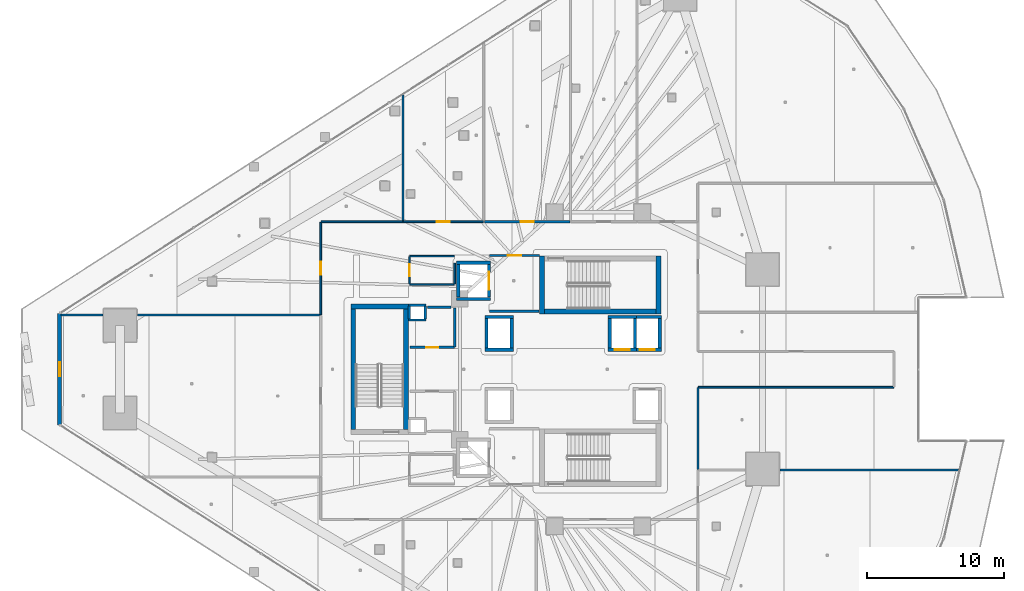
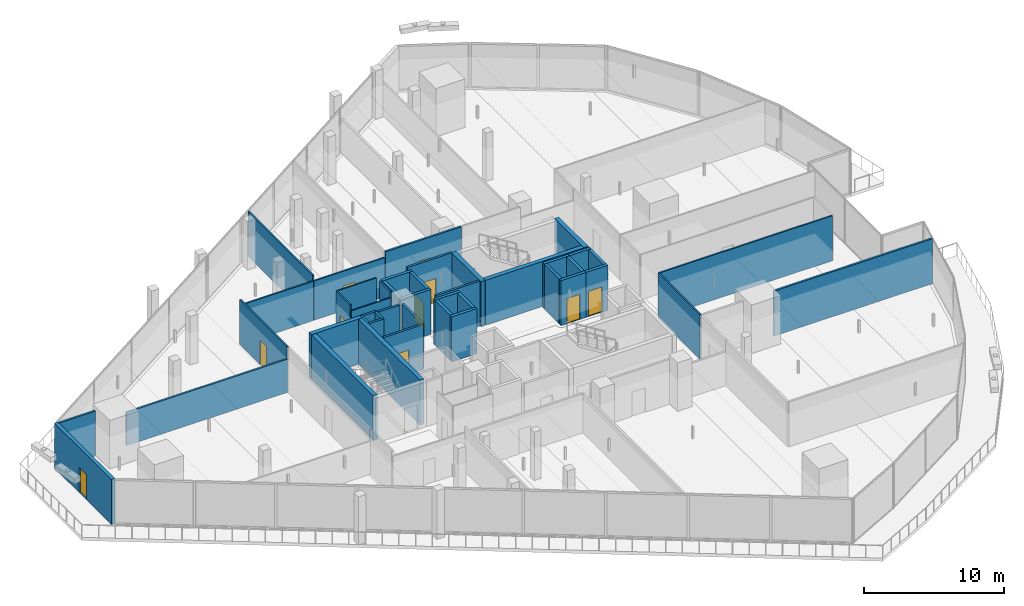
# One storey, part 30 of 45: 45 walls, 10 doors, 10 openings.
"""IFC4 building model written with IfcOpenShell, lengths in metres."""

import ifcopenshell
import ifcopenshell.guid

model = None  # the IFC model being written
_history = None  # IfcOwnerHistory: only IFC2X3 demands one
_inside = {}  # id of a spatial element -> (the spatial element, [elements in it])
_under = {}  # id of a project, library or spatial element -> (it, [spatial elements below it])
_declared = {}  # id of a project -> (the project, [libraries it declares])
_typed = {}  # id of a type object -> (the type object, [elements of that type])
_made_of = {}  # id of a material, layer set ... -> (it, [elements and type objects made of it])


def new_model(schema):
    """Start an empty IFC model of exactly this schema.

    Asked for "IFC4X3", IfcOpenShell would pick the latest addendum, in which some entities
    have other attributes; the version numbers below select the first issue.
    IFC2X3 requires an IfcOwnerHistory on every rooted entity: one is made here for all.
    """
    global model, _history
    if schema == "IFC4X3":
        model = ifcopenshell.file(schema_version=(4, 3, 0, 0))
    else:
        model = ifcopenshell.file(schema=schema)
    _inside.clear()
    _under.clear()
    _declared.clear()
    _typed.clear()
    _made_of.clear()
    _history = None
    if model.schema == "IFC2X3":
        org = make("IfcOrganization", Name="unknown")
        user = make(
            "IfcPersonAndOrganization",
            ThePerson=make("IfcPerson", FamilyName="unknown"),
            TheOrganization=org,
        )
        app = make(
            "IfcApplication",
            ApplicationDeveloper=org,
            Version="unknown",
            ApplicationFullName="unknown",
            ApplicationIdentifier="unknown",
        )
        _history = make(
            "IfcOwnerHistory",
            OwningUser=user,
            OwningApplication=app,
            ChangeAction="ADDED",
            CreationDate=0,
        )
    return model


def make(cls, **values):
    """One entity of the class cls with the attributes given. An attribute that is None is left unset."""
    return model.create_entity(
        cls, **{name: value for name, value in values.items() if value is not None}
    )


def rooted(cls, **values):
    """An entity with a GlobalId (a new one), such as an element, a storey or a relation."""
    return make(cls, GlobalId=ifcopenshell.guid.new(), OwnerHistory=_history, **values)


def si_unit(unit_type, name, prefix=None):
    """IfcSIUnit, for example si_unit("LENGTHUNIT", "METRE", prefix="MILLI")."""
    return make("IfcSIUnit", UnitType=unit_type, Prefix=prefix, Name=name)


def assignment(units):
    """IfcUnitAssignment: the units of a project."""
    return None if units is None else make("IfcUnitAssignment", Units=units)


def point(xyz):
    """IfcCartesianPoint."""
    return None if xyz is None else make("IfcCartesianPoint", Coordinates=xyz)


def direction(xyz):
    """IfcDirection."""
    return None if xyz is None else make("IfcDirection", DirectionRatios=xyz)


def frame(location, z_axis=None, x_axis=None):
    """IfcAxis2Placement3D, a coordinate frame: its origin and axes. An axis left out is left unset."""
    return make(
        "IfcAxis2Placement3D",
        Location=point(location),
        Axis=direction(z_axis),
        RefDirection=direction(x_axis),
    )


def frame_2d(location, x_axis=None):
    """IfcAxis2Placement2D, a coordinate frame in the plane: its origin and x axis."""
    return make(
        "IfcAxis2Placement2D", Location=point(location), RefDirection=direction(x_axis)
    )


def origin():
    """The frame at (0, 0, 0) with its axes left unset."""
    return frame((0.0, 0.0, 0.0))


def place(relative_to, where):
    """IfcLocalPlacement: puts the frame where relative to a parent placement (None: the world)."""
    return make(
        "IfcLocalPlacement", PlacementRelTo=relative_to, RelativePlacement=where
    )


def context(
    kind, dimensions, precision=None, world=None, true_north=None, identifier=None
):
    """IfcGeometricRepresentationContext, for example the 3D "Model" context."""
    return make(
        "IfcGeometricRepresentationContext",
        ContextIdentifier=identifier,
        ContextType=kind,
        CoordinateSpaceDimension=dimensions,
        Precision=precision,
        WorldCoordinateSystem=world,
        TrueNorth=true_north,
    )


def subcontext(parent, identifier, kind, view, scale=None):
    """IfcGeometricRepresentationSubContext, for example "Body" below "Model"."""
    return make(
        "IfcGeometricRepresentationSubContext",
        ContextIdentifier=identifier,
        ContextType=kind,
        ParentContext=parent,
        TargetScale=scale,
        TargetView=view,
    )


def project(units=None, contexts=None):
    """IfcProject with its units and contexts."""
    return rooted(
        "IfcProject",
        Name="project",
        RepresentationContexts=contexts,
        UnitsInContext=assignment(units),
    )


def spatial(cls, under=None, at=None, **own):
    """A site, building, storey or space (cls), placed at a placement, below another one or the project."""
    s = rooted(cls, ObjectPlacement=at, **own)
    if under is not None:
        _under.setdefault(under.id(), (under, []))[1].append(s)
    return s


def profile(cls, at=None, kind="AREA", **sizes):
    """A parametric profile (cls). Its sizes go by their IFC names, for example OverallWidth=200.0."""
    return make(cls, ProfileType=kind, Position=at, **sizes)


def rectangle(**sizes):
    """IfcRectangleProfileDef."""
    return profile("IfcRectangleProfileDef", **sizes)


def extrude(swept, where, along, depth):
    """IfcExtrudedAreaSolid: the profile swept, set in the frame where, extruded along a direction by depth."""
    return make(
        "IfcExtrudedAreaSolid",
        SweptArea=swept,
        Position=where,
        ExtrudedDirection=direction(along),
        Depth=depth,
    )


def shape(context_of_items, identifier, shape_type, items):
    """IfcShapeRepresentation: the items that make up one representation, for example the "Body"."""
    return make(
        "IfcShapeRepresentation",
        ContextOfItems=context_of_items,
        RepresentationIdentifier=identifier,
        RepresentationType=shape_type,
        Items=items,
    )


def material(Name=None, Category=None):
    """IfcMaterial."""
    return make("IfcMaterial", Name=Name, Category=Category)


def layer(
    of_material, thickness, ventilated=None, Name=None, Category=None, Priority=None
):
    """IfcMaterialLayer: one layer of a wall or slab, of a material (None: an air gap)."""
    return make(
        "IfcMaterialLayer",
        Material=of_material,
        LayerThickness=thickness,
        IsVentilated=ventilated,
        Name=Name,
        Category=Category,
        Priority=Priority,
    )


def layer_set(layers, Name=None):
    """IfcMaterialLayerSet."""
    return make("IfcMaterialLayerSet", MaterialLayers=layers, LayerSetName=Name)


def made_of(thing, what):
    """Note that an element or type object is made of a material, layer set ...; save() writes the relation."""
    if what is not None:
        _made_of.setdefault(what.id(), (what, []))[1].append(thing)
    return thing


def type_object(cls, material=None, **own):
    """A type object (cls), such as IfcWallType, which elements share."""
    return made_of(rooted(cls, **own), material)


def element(
    cls,
    number,
    at=None,
    inside=None,
    cuts=None,
    type_object=None,
    material=None,
    context=None,
    identifier="Body",
    shape_type=None,
    held_by="IfcProductDefinitionShape",
    body=None,
    shapes=None,
    **own,
):
    """One element of the class cls, such as IfcWall. Its Tag is "e" and its number.

    at: its placement. inside: the storey or other place that contains it. cuts: it is an
    opening in that element (IfcRelVoidsElement). A single representation is given by context,
    identifier, shape_type and body (its items); several are given by shapes. held_by: the class
    of the entity that holds the representations. save() writes the other relations.
    """
    e = rooted(cls, Tag="e%d" % number, ObjectPlacement=at, **own)
    if body is not None:
        shapes = [shape(context, identifier, shape_type, body)]
    if shapes is not None:
        e.Representation = make(held_by, Representations=shapes)
    if inside is not None:
        _inside.setdefault(inside.id(), (inside, []))[1].append(e)
    if cuts is not None:
        rooted(
            "IfcRelVoidsElement", RelatingBuildingElement=cuts, RelatedOpeningElement=e
        )
    if type_object is not None:
        _typed.setdefault(type_object.id(), (type_object, []))[1].append(e)
    return made_of(e, material)


def fill(opening, filler):
    """IfcRelFillsElement: the door or window that sits in an opening."""
    return rooted(
        "IfcRelFillsElement",
        RelatingOpeningElement=opening,
        RelatedBuildingElement=filler,
    )


def aggregate(whole, parts):
    """IfcRelAggregates: a whole, such as a stair, and the parts it consists of."""
    return rooted("IfcRelAggregates", RelatingObject=whole, RelatedObjects=parts)


def save(model, path):
    """Write the relations noted so far, then the file.

    IfcRelAggregates (storeys below a building ...), IfcRelContainedInSpatialStructure (elements
    in a storey), IfcRelDefinesByType, IfcRelAssociatesMaterial and IfcRelDeclares: one each for
    every whole, place, type object, material and project.
    """
    for whole, parts in _under.values():
        aggregate(whole, parts)
    for where, things in _inside.values():
        rooted(
            "IfcRelContainedInSpatialStructure",
            RelatedElements=things,
            RelatingStructure=where,
        )
    for kind, things in _typed.values():
        rooted("IfcRelDefinesByType", RelatedObjects=things, RelatingType=kind)
    for what, things in _made_of.values():
        rooted("IfcRelAssociatesMaterial", RelatedObjects=things, RelatingMaterial=what)
    for by, libraries in _declared.values():
        rooted("IfcRelDeclares", RelatingContext=by, RelatedDefinitions=libraries)
    model.write(path)


model = new_model("IFC4")

# Units and contexts
model_context = context("Model", 3, precision=1e-05, world=origin(), true_north=direction((0.0, 1.0)))
body_context = subcontext(model_context, "Body", "Model", "MODEL_VIEW")
ifc_project = project(units=[si_unit("LENGTHUNIT", "METRE"), si_unit("AREAUNIT", "SQUARE_METRE"), si_unit("VOLUMEUNIT", "CUBIC_METRE"), si_unit("PLANEANGLEUNIT", "RADIAN"), si_unit("MASSUNIT", "GRAM", prefix="KILO")], contexts=[model_context])

# Site, building, storey
site_placement = place(None, origin())
site = spatial("IfcSite", under=ifc_project, at=site_placement, CompositionType="ELEMENT")
building_placement = place(site_placement, origin())
building = spatial("IfcBuilding", under=site, at=building_placement, Name="Qorvath Tower", CompositionType="ELEMENT")
storey_placement = place(building_placement, frame((0.0, 0.0, 66.0)))
storey = spatial("IfcBuildingStorey", under=building, at=storey_placement, Name="L14", CompositionType="ELEMENT", Elevation=66.0)

# Walls
ifc_material_1 = material(Name="Gypsum shaftliner on steel studs", Category="steel")
ifc_layer_1 = layer(ifc_material_1, 0.179931640625)
ifc_layer_set_1 = layer_set([ifc_layer_1], Name="FW-LOBBY")
wall_type_1 = type_object("IfcWallType", Name="FW-LOBBY", PredefinedType="PARTITIONING", material=ifc_layer_set_1)
for number, where, z_axis, x_axis, name in (
    (1, (-32.989990234375, 3.594970703125, 0.0), (0.0, 0.0, 1.0), (-1.0, 0.0, 0.0), "MEP Riser Shaft Enclosure Wall N-L14-S"),
    (2, (-34.260009765625, 4.675048828125, 0.0), (0.0, 0.0, 1.0), (1.0, 0.0, 0.0), "MEP Riser Shaft Enclosure Wall N-L14-N"),
):
    element("IfcWall", number, at=place(storey_placement, frame(where, z_axis=z_axis, x_axis=x_axis)), inside=storey, type_object=wall_type_1, Name=name, PredefinedType="PARTITIONING", context=body_context, shape_type="SweptSolid", body=[
        extrude(rectangle(XDim=1.27001953125, YDim=0.179931640625, at=frame_2d((0.635009765625, 0.0))), origin(), (0.0, 0.0, 1.0), 3.919921875),
    ])
for number, where, z_axis, x_axis, name in (
    (3, (-34.205078125, 3.659912109375, 0.0), (0.0, 0.0, 1.0), (0.0, 1.0, 0.0), "MEP Riser Shaft Enclosure Wall N-L14-W"),
    (4, (-33.044921875, 4.610107421875, 0.0), (0.0, 0.0, 1.0), (0.0, -1.0, 0.0), "MEP Riser Shaft Enclosure Wall N-L14-E"),
):
    element("IfcWall", number, at=place(storey_placement, frame(where, z_axis=z_axis, x_axis=x_axis)), inside=storey, type_object=wall_type_1, Name=name, PredefinedType="PARTITIONING", context=body_context, shape_type="SweptSolid", body=[
        extrude(rectangle(XDim=0.9501953125, YDim=0.179931640625, at=frame_2d((0.47509765625, 0.0))), origin(), (0.0, 0.0, 1.0), 3.919921875),
    ])
wall_1_placement = place(storey_placement, frame((-28.35498046875, 4.25, 0.0), z_axis=(0.0, 0.0, 1.0), x_axis=(1.0, 0.0, 0.0)))
element("IfcWall", 5, at=wall_1_placement, inside=storey, type_object=wall_type_1, Name="Interior Partition IW-T1-L14-001", PredefinedType="PARTITIONING", context=body_context, shape_type="SweptSolid", body=[
    extrude(rectangle(XDim=3.6220703125, YDim=0.179931640625, at=frame_2d((1.81103515625, 0.0))), origin(), (0.0, 0.0, 1.0), 3.919921875),
])

# Wall, opening, door
wall_2_placement = place(storey_placement, frame((-24.68408203125, 8.300048828125, 0.0), z_axis=(0.0, 0.0, 1.0), x_axis=(-1.0, 0.0, 0.0)))
wall_2 = element("IfcWall", 6, at=wall_2_placement, inside=storey, type_object=wall_type_1, Name="Interior Partition IW-T1-L14-002", PredefinedType="PARTITIONING", context=body_context, shape_type="SweptSolid", body=[
    extrude(rectangle(XDim=3.6708984375, YDim=0.179931640625, at=frame_2d((1.83544921875, 0.0))), origin(), (0.0, 0.0, 1.0), 3.919921875),
])
opening_1_placement = place(wall_2_placement, frame((1.33544921875, 0.0, 0.0)))
opening_1 = element("IfcOpeningElement", 7, at=opening_1_placement, cuts=wall_2, Name="Opening D-T1-L14-17", PredefinedType="OPENING", context=body_context, shape_type="SweptSolid", body=[
    extrude(rectangle(XDim=1.0, YDim=2.14990234375, at=frame_2d((0.5, 1.074951171875))), frame((0.0, 0.10009765625, 0.0), z_axis=(0.0, -1.0, 0.0), x_axis=(1.0, 0.0, 0.0)), (0.0, 0.0, 1.0), 0.199951171875),
])
ifc_material_2 = material(Name="Painted galvanised hollow metal", Category="steel")
door_type_1 = type_object("IfcDoorType", Name="FD-60", OperationType="NOTDEFINED", PredefinedType="DOOR", material=ifc_material_2)
door_1_placement = place(opening_1_placement, origin())
door_1 = element("IfcDoor", 8, at=door_1_placement, inside=storey, type_object=door_type_1, Name="Lobby Fire Service Elevator North Door D-T1-L14-17", OperationType="SINGLE_SWING_RIGHT", OverallHeight=2.14990234375, OverallWidth=1.0, PredefinedType="DOOR", context=body_context, shape_type="SweptSolid", body=[
    extrude(rectangle(XDim=1.0, YDim=2.14990234375, at=frame_2d((0.5, 1.074951171875))), frame((0.0, 0.02490234375, 0.0), z_axis=(0.0, -1.0, 0.0), x_axis=(1.0, 0.0, 0.0)), (0.0, 0.0, 1.0), 0.050048828125),
])
fill(opening_1, door_1)

wall_3_placement = place(storey_placement, frame((-34.15478515625, 1.60009765625, 0.0), z_axis=(0.0, 0.0, 1.0), x_axis=(1.0, 0.0, 0.0)))
wall_3 = element("IfcWall", 9, at=wall_3_placement, inside=storey, type_object=wall_type_1, Name="Interior Partition IW-T1-L14-013", PredefinedType="PARTITIONING", context=body_context, shape_type="SweptSolid", body=[
    extrude(rectangle(XDim=3.25, YDim=0.179931640625, at=frame_2d((1.625, 0.0))), origin(), (0.0, 0.0, 1.0), 3.919921875),
])
opening_2_placement = place(wall_3_placement, frame((1.18505859375, 0.0, 0.0)))
opening_2 = element("IfcOpeningElement", 10, at=opening_2_placement, cuts=wall_3, Name="Opening D-T1-L14-03", PredefinedType="OPENING", context=body_context, shape_type="SweptSolid", body=[
    extrude(rectangle(XDim=0.8798828125, YDim=2.10009765625, at=frame_2d((0.43994140625, 1.050048828125))), frame((0.0, 0.10009765625, 0.0), z_axis=(0.0, -1.0, 0.0), x_axis=(1.0, 0.0, 0.0)), (0.0, 0.0, 1.0), 0.199951171875),
])
ifc_material_3 = material(Name="Painted galvanised hollow metal", Category="steel")
door_type_2 = type_object("IfcDoorType", Name="FD-60N", OperationType="NOTDEFINED", PredefinedType="DOOR", material=ifc_material_3)
door_2_placement = place(opening_2_placement, origin())
door_2 = element("IfcDoor", 11, at=door_2_placement, inside=storey, type_object=door_type_2, Name="Core telecom and comms room L14 Door D-T1-L14-03", OperationType="SINGLE_SWING_RIGHT", OverallHeight=2.10009765625, OverallWidth=0.8798828125, PredefinedType="DOOR", context=body_context, shape_type="SweptSolid", body=[
    extrude(rectangle(XDim=0.8798828125, YDim=2.10009765625, at=frame_2d((0.43994140625, 1.050048828125))), frame((0.0, 0.02490234375, 0.0), z_axis=(0.0, -1.0, 0.0), x_axis=(1.0, 0.0, 0.0)), (0.0, 0.0, 1.0), 0.050048828125),
])
fill(opening_2, door_2)

# Walls
wall_4_placement = place(storey_placement, frame((-30.8798828125, 1.625, 0.0), z_axis=(0.0, 0.0, 1.0), x_axis=(0.0, 1.0, 0.0)))
element("IfcWall", 12, at=wall_4_placement, inside=storey, type_object=wall_type_1, Name="Interior Partition IW-T1-L14-014", PredefinedType="PARTITIONING", context=body_context, shape_type="SweptSolid", body=[
    extrude(rectangle(XDim=2.860107421875, YDim=0.179931640625, at=frame_2d((1.43017578125, 0.0))), origin(), (0.0, 0.0, 1.0), 3.919921875),
])
wall_5_placement = place(storey_placement, frame((-31.1650390625, 4.5224609375, 0.0), z_axis=(0.0, 0.0, 1.0), x_axis=(-0.9999584918, 0.009111239105, 0.0)))
element("IfcWall", 13, at=wall_5_placement, inside=storey, type_object=wall_type_1, Name="Interior Partition IW-T1-L14-015", PredefinedType="PARTITIONING", context=body_context, shape_type="SweptSolid", body=[
    extrude(rectangle(XDim=1.71484375, YDim=0.179931640625, at=frame_2d((0.857421875, 0.0))), origin(), (0.0, 0.0, 1.0), 3.919921875),
])

# Wall, opening, door
ifc_material_4 = material(Name="Double acoustic gypsum board on steel studs", Category="steel")
ifc_layer_2 = layer(ifc_material_4, 0.159912109375)
ifc_layer_set_2 = layer_set([ifc_layer_2], Name="IW-ACOUSTIC-160")
wall_type_2 = type_object("IfcWallType", Name="IW-ACOUSTIC-160", PredefinedType="PARTITIONING", material=ifc_layer_set_2)
wall_6_placement = place(storey_placement, frame((-28.726806640625, 10.758056640625, 0.0), z_axis=(0.0, 0.0, 1.0), x_axis=(1.0, 0.0, 0.0)))
wall_6 = element("IfcWall", 14, at=wall_6_placement, inside=storey, type_object=wall_type_2, Name="Interior Partition IW-T1-L14-022", PredefinedType="PARTITIONING", context=body_context, shape_type="SweptSolid", body=[
    extrude(rectangle(XDim=6.260498046875, YDim=0.159912109375, at=frame_2d((3.13037109375, 0.0))), origin(), (0.0, 0.0, 1.0), 3.919921875),
])
opening_3_placement = place(wall_6_placement, frame((2.6552734375, 0.0, 0.0)))
opening_3 = element("IfcOpeningElement", 15, at=opening_3_placement, cuts=wall_6, Name="Opening D-T1-L14-06", PredefinedType="OPENING", context=body_context, shape_type="SweptSolid", body=[
    extrude(rectangle(XDim=0.949951171875, YDim=2.14990234375, at=frame_2d((0.47509765625, 1.074951171875))), frame((0.0, 0.08984375, 0.0), z_axis=(0.0, -1.0, 0.0), x_axis=(1.0, 0.0, 0.0)), (0.0, 0.0, 1.0), 0.179931640625),
])
ifc_material_5 = material(Name="Solid-core American white oak veneer", Category="wood")
door_type_3 = type_object("IfcDoorType", Name="D-01", OperationType="NOTDEFINED", PredefinedType="DOOR", material=ifc_material_5)
door_3_placement = place(opening_3_placement, origin())
door_3 = element("IfcDoor", 16, at=door_3_placement, inside=storey, type_object=door_type_3, Name="L14-02 Staff Wellness Studio Door D-T1-L14-06", OperationType="SINGLE_SWING_LEFT", OverallHeight=2.14990234375, OverallWidth=0.949951171875, PredefinedType="DOOR", context=body_context, shape_type="SweptSolid", body=[
    extrude(rectangle(XDim=0.949951171875, YDim=2.14990234375, at=frame_2d((0.47509765625, 1.074951171875))), frame((0.0, 0.02490234375, 0.0), z_axis=(0.0, -1.0, 0.0), x_axis=(1.0, 0.0, 0.0)), (0.0, 0.0, 1.0), 0.050048828125),
])
fill(opening_3, door_3)

# Walls
wall_7_placement = place(storey_placement, frame((5.8759765625, -7.3359375, 0.0), z_axis=(0.0, 0.0, 1.0), x_axis=(-1.0, 0.0, 0.0)))
element("IfcWall", 17, at=wall_7_placement, inside=storey, type_object=wall_type_2, Name="Interior Partition IW-T1-L14-036", PredefinedType="PARTITIONING", context=body_context, shape_type="SweptSolid", body=[
    extrude(rectangle(XDim=13.041259765625, YDim=0.159912109375, at=frame_2d((6.5205078125, 0.0))), origin(), (0.0, 0.0, 1.0), 3.919921875),
])
wall_8_placement = place(storey_placement, frame((-40.68310546875, 3.95654296875, 0.0), z_axis=(0.0, 0.0, 1.0), x_axis=(-1.0, 0.0, 0.0)))
element("IfcWall", 18, at=wall_8_placement, inside=storey, type_object=wall_type_2, Name="Interior Partition IW-T1-L14-050", PredefinedType="PARTITIONING", context=body_context, shape_type="SweptSolid", body=[
    extrude(rectangle(XDim=13.334716796875, YDim=0.159912109375, at=frame_2d((6.66748046875, 0.0))), origin(), (0.0, 0.0, 1.0), 2.889892578125),
])
wall_9_placement = place(storey_placement, frame((-56.5478515625, 3.95654296875, 0.0), z_axis=(0.0, 0.0, 1.0), x_axis=(-1.0, 0.0, 0.0)))
element("IfcWall", 19, at=wall_9_placement, inside=storey, type_object=wall_type_2, Name="Interior Partition IW-T1-L14-051", PredefinedType="PARTITIONING", context=body_context, shape_type="SweptSolid", body=[
    extrude(rectangle(XDim=3.069091796875, YDim=0.159912109375, at=frame_2d((1.53466796875, 0.0))), origin(), (0.0, 0.0, 1.0), 3.919921875),
])

# Wall, opening, door
ifc_material_6 = material(Name="Gypsum board on metal studs with mineral wool", Category="gypsum")
ifc_layer_3 = layer(ifc_material_6, 0.125)
ifc_layer_set_3 = layer_set([ifc_layer_3], Name="IW-PART-125")
wall_type_3 = type_object("IfcWallType", Name="IW-PART-125", PredefinedType="PARTITIONING", material=ifc_layer_set_3)
wall_10_placement = place(storey_placement, frame((-34.625, 10.758056640625, 0.0), z_axis=(0.0, 0.0, 1.0), x_axis=(1.0, 0.0, 0.0)))
wall_10 = element("IfcWall", 20, at=wall_10_placement, inside=storey, type_object=wall_type_3, Name="Interior Partition IW-T1-L14-019", PredefinedType="PARTITIONING", context=body_context, shape_type="SweptSolid", body=[
    extrude(rectangle(XDim=5.840576171875, YDim=0.125, at=frame_2d((2.92041015625, 0.0))), origin(), (0.0, 0.0, 1.0), 3.432861328125),
])
opening_4_placement = place(wall_10_placement, frame((2.4453125, 0.0, 0.0)))
opening_4 = element("IfcOpeningElement", 21, at=opening_4_placement, cuts=wall_10, Name="Opening D-T1-L14-05", PredefinedType="OPENING", context=body_context, shape_type="SweptSolid", body=[
    extrude(rectangle(XDim=0.949951171875, YDim=2.14990234375, at=frame_2d((0.47509765625, 1.074951171875))), frame((0.0, 0.072509765625, 0.0), z_axis=(0.0, -1.0, 0.0), x_axis=(1.0, 0.0, 0.0)), (0.0, 0.0, 1.0), 0.14501953125),
])
door_4_placement = place(opening_4_placement, origin())
door_4 = element("IfcDoor", 22, at=door_4_placement, inside=storey, type_object=door_type_3, Name="L14-01 Project Collaboration Workspace Door D-T1-L14-05", OperationType="SINGLE_SWING_RIGHT", OverallHeight=2.14990234375, OverallWidth=0.949951171875, PredefinedType="DOOR", context=body_context, shape_type="SweptSolid", body=[
    extrude(rectangle(XDim=0.949951171875, YDim=2.14990234375, at=frame_2d((0.47509765625, 1.074951171875))), frame((0.0, 0.02490234375, 0.0), z_axis=(0.0, -1.0, 0.0), x_axis=(1.0, 0.0, 0.0)), (0.0, 0.0, 1.0), 0.050048828125),
])
fill(opening_4, door_4)

# Walls
wall_11_placement = place(storey_placement, frame((-34.64990234375, 19.995361328125, 0.0), z_axis=(0.0, 0.0, 1.0), x_axis=(0.0, -1.0, 0.0)))
element("IfcWall", 23, at=wall_11_placement, inside=storey, type_object=wall_type_3, Name="Interior Partition IW-T1-L14-021", PredefinedType="PARTITIONING", context=body_context, shape_type="SweptSolid", body=[
    extrude(rectangle(XDim=9.212158203125, YDim=0.125, at=frame_2d((4.60595703125, 0.0))), origin(), (0.0, 0.0, 1.0), 3.919921875),
])
wall_12_placement = place(storey_placement, frame((1.140380859375, -1.30810546875, 0.0), z_axis=(0.0, 0.0, 1.0), x_axis=(-1.0, 0.0, 0.0)))
element("IfcWall", 24, at=wall_12_placement, inside=storey, type_object=wall_type_3, Name="Interior Partition IW-T1-L14-043", PredefinedType="PARTITIONING", context=body_context, shape_type="SweptSolid", body=[
    extrude(rectangle(XDim=14.257568359375, YDim=0.125, at=frame_2d((7.12890625, 0.0))), origin(), (0.0, 0.0, 1.0), 3.919921875),
])
wall_13_placement = place(storey_placement, frame((-13.14208984375, -1.3330078125, 0.0), z_axis=(0.0, 0.0, 1.0), x_axis=(0.0, -1.0, 0.0)))
element("IfcWall", 25, at=wall_13_placement, inside=storey, type_object=wall_type_3, Name="Interior Partition IW-T1-L14-044", PredefinedType="PARTITIONING", context=body_context, shape_type="SweptSolid", body=[
    extrude(rectangle(XDim=5.969970703125, YDim=0.125, at=frame_2d((2.98486328125, 0.0))), origin(), (0.0, 0.0, 1.0), 3.919921875),
])

# Wall, opening, door
wall_14_placement = place(storey_placement, frame((-40.657958984375, 3.989501953125, 0.0), z_axis=(0.0, 0.0, 1.0), x_axis=(0.0, 1.0, 0.0)))
wall_14 = element("IfcWall", 26, at=wall_14_placement, inside=storey, type_object=wall_type_3, Name="Interior Partition IW-T1-L14-052", PredefinedType="PARTITIONING", context=body_context, shape_type="SweptSolid", body=[
    extrude(rectangle(XDim=6.74365234375, YDim=0.125, at=frame_2d((3.371826171875, 0.0))), origin(), (0.0, 0.0, 1.0), 3.919921875),
])
opening_5_placement = place(wall_14_placement, frame((2.896728515625, 0.0, 0.0)))
opening_5 = element("IfcOpeningElement", 27, at=opening_5_placement, cuts=wall_14, Name="Opening D-T1-L14-16", PredefinedType="OPENING", context=body_context, shape_type="SweptSolid", body=[
    extrude(rectangle(XDim=0.949951171875, YDim=2.14990234375, at=frame_2d((0.47509765625, 1.074951171875))), frame((0.0, 0.072509765625, 0.0), z_axis=(0.0, -1.0, 0.0), x_axis=(1.0, 0.0, 0.0)), (0.0, 0.0, 1.0), 0.14501953125),
])
door_5_placement = place(opening_5_placement, origin())
door_5 = element("IfcDoor", 28, at=door_5_placement, inside=storey, type_object=door_type_3, Name="L14-12 Project Collaboration Workspace Door D-T1-L14-16", OperationType="SINGLE_SWING_LEFT", OverallHeight=2.14990234375, OverallWidth=0.949951171875, PredefinedType="DOOR", context=body_context, shape_type="SweptSolid", body=[
    extrude(rectangle(XDim=0.949951171875, YDim=2.14990234375, at=frame_2d((0.47509765625, 1.074951171875))), frame((0.0, 0.02490234375, 0.0), z_axis=(0.0, -1.0, 0.0), x_axis=(1.0, 0.0, 0.0)), (0.0, 0.0, 1.0), 0.050048828125),
])
fill(opening_5, door_5)

# Wall
wall_15_placement = place(storey_placement, frame((-34.68310546875, 10.758056640625, 0.0), z_axis=(0.0, 0.0, 1.0), x_axis=(-1.0, 0.0, 0.0)))
element("IfcWall", 29, at=wall_15_placement, inside=storey, type_object=wall_type_3, Name="Interior Partition IW-T1-L14-053", PredefinedType="PARTITIONING", context=body_context, shape_type="SweptSolid", body=[
    extrude(rectangle(XDim=5.949951171875, YDim=0.125, at=frame_2d((2.97509765625, 0.0))), origin(), (0.0, 0.0, 1.0), 3.432861328125),
])

# Wall, opening, door
ifc_material_7 = material(Name="Moisture-resistant cement board on metal studs", Category="gypsum")
ifc_layer_4 = layer(ifc_material_7, 0.110107421875)
ifc_layer_set_4 = layer_set([ifc_layer_4], Name="IW-WC-110")
wall_type_4 = type_object("IfcWallType", Name="IW-WC-110", PredefinedType="PARTITIONING", material=ifc_layer_set_4)
wall_16_placement = place(storey_placement, frame((-34.179931640625, 8.22509765625, 0.0), z_axis=(0.0, 0.0, 1.0), x_axis=(0.0, -1.0, 0.0)))
wall_16 = element("IfcWall", 30, at=wall_16_placement, inside=storey, type_object=wall_type_4, Name="Interior Partition IW-T1-L14-005", PredefinedType="PARTITIONING", context=body_context, shape_type="SweptSolid", body=[
    extrude(rectangle(XDim=2.0, YDim=0.110107421875, at=frame_2d((1.0, 0.0))), origin(), (0.0, 0.0, 1.0), 3.919921875),
])
opening_6_placement = place(wall_16_placement, frame((0.56005859375, 0.0, 0.0)))
opening_6 = element("IfcOpeningElement", 31, at=opening_6_placement, cuts=wall_16, Name="Opening D-T1-L14-01", PredefinedType="OPENING", context=body_context, shape_type="SweptSolid", body=[
    extrude(rectangle(XDim=0.8798828125, YDim=2.10009765625, at=frame_2d((0.43994140625, 1.050048828125))), frame((0.0, 0.06494140625, 0.0), z_axis=(0.0, -1.0, 0.0), x_axis=(1.0, 0.0, 0.0)), (0.0, 0.0, 1.0), 0.130126953125),
])
ifc_material_8 = material(Name="Solid-core oak with acoustic drop seal", Category="wood")
door_type_4 = type_object("IfcDoorType", Name="D-02", OperationType="NOTDEFINED", PredefinedType="DOOR", material=ifc_material_8)
door_6_placement = place(opening_6_placement, origin())
door_6 = element("IfcDoor", 32, at=door_6_placement, inside=storey, type_object=door_type_4, Name="WC All-Gender North L14 Door D-T1-L14-01", OperationType="SINGLE_SWING_RIGHT", OverallHeight=2.10009765625, OverallWidth=0.8798828125, PredefinedType="DOOR", context=body_context, shape_type="SweptSolid", body=[
    extrude(rectangle(XDim=0.8798828125, YDim=2.10009765625, at=frame_2d((0.43994140625, 1.050048828125))), frame((0.0, 0.02490234375, 0.0), z_axis=(0.0, -1.0, 0.0), x_axis=(1.0, 0.0, 0.0)), (0.0, 0.0, 1.0), 0.050048828125),
])
fill(opening_6, door_6)

# Walls
wall_17_placement = place(storey_placement, frame((-34.15478515625, 6.199951171875, 0.0), z_axis=(0.0, 0.0, 1.0), x_axis=(1.0, 0.0, 0.0)))
element("IfcWall", 33, at=wall_17_placement, inside=storey, type_object=wall_type_4, Name="Interior Partition IW-T1-L14-006", PredefinedType="PARTITIONING", context=body_context, shape_type="SweptSolid", body=[
    extrude(rectangle(XDim=3.25, YDim=0.110107421875, at=frame_2d((1.625, 0.0))), origin(), (0.0, 0.0, 1.0), 3.432861328125),
])
wall_18_placement = place(storey_placement, frame((-30.8798828125, 6.22509765625, 0.0), z_axis=(0.0, 0.0, 1.0), x_axis=(0.0, 1.0, 0.0)))
element("IfcWall", 34, at=wall_18_placement, inside=storey, type_object=wall_type_4, Name="Interior Partition IW-T1-L14-007", PredefinedType="PARTITIONING", context=body_context, shape_type="SweptSolid", body=[
    extrude(rectangle(XDim=1.517822265625, YDim=0.110107421875, at=frame_2d((0.7587890625, 0.0))), origin(), (0.0, 0.0, 1.0), 3.919921875),
])
wall_19_placement = place(storey_placement, frame((-30.90478515625, 8.25, 0.0), z_axis=(0.0, 0.0, 1.0), x_axis=(-1.0, 0.0, 0.0)))
element("IfcWall", 35, at=wall_19_placement, inside=storey, type_object=wall_type_4, Name="Interior Partition IW-T1-L14-008", PredefinedType="PARTITIONING", context=body_context, shape_type="SweptSolid", body=[
    extrude(rectangle(XDim=3.25, YDim=0.110107421875, at=frame_2d((1.625, 0.0))), origin(), (0.0, 0.0, 1.0), 3.919921875),
])
ifc_material_9 = material(Name="Concrete C60/75", Category="concrete")
ifc_layer_5 = layer(ifc_material_9, 0.260009765625)
ifc_layer_set_5 = layer_set([ifc_layer_5], Name="SW-SHAFT")
wall_type_5 = type_object("IfcWallType", Name="SW-SHAFT", PredefinedType="SHEAR", material=ifc_layer_set_5)
for number, where, z_axis, x_axis, name in (
    (36, (-28.260009765625, 5.1298828125, 0.0), (0.0, 0.0, 1.0), (-1.0, 0.0, 0.0), "Hoistway Wall FSAE-1 L14 S"),
    (37, (-30.739990234375, 7.77001953125, 0.0), (0.0, 0.0, 1.0), (1.0, 0.0, 0.0), "Hoistway Wall FSAE-1 L14 N"),
):
    element("IfcWall", number, at=place(storey_placement, frame(where, z_axis=z_axis, x_axis=x_axis)), inside=storey, type_object=wall_type_5, Name=name, PredefinedType="SHEAR", context=body_context, shape_type="SweptSolid", body=[
        extrude(rectangle(XDim=2.47998046875, YDim=0.239990234375, at=frame_2d((1.239990234375, 0.0))), origin(), (0.0, 0.0, 1.0), 3.919921875),
    ])
wall_20_placement = place(storey_placement, frame((-30.6201171875, 5.261962890625, 0.0), z_axis=(0.0, 0.0, 1.0), x_axis=(0.0, 1.0, 0.0)))
element("IfcWall", 38, at=wall_20_placement, inside=storey, type_object=wall_type_5, Name="Hoistway Wall FSAE-1 L14 W", PredefinedType="SHEAR", context=body_context, shape_type="SweptSolid", body=[
    extrude(rectangle(XDim=2.3759765625, YDim=0.239990234375, at=frame_2d((1.18798828125, 0.0))), origin(), (0.0, 0.0, 1.0), 3.919921875),
])

# Wall, opening, door
wall_21_placement = place(storey_placement, frame((-28.3798828125, 7.637939453125, 0.0), z_axis=(0.0, 0.0, 1.0), x_axis=(0.0, -1.0, 0.0)))
wall_21 = element("IfcWall", 39, at=wall_21_placement, inside=storey, type_object=wall_type_5, Name="Hoistway Wall FSAE-1 L14 E", PredefinedType="SHEAR", context=body_context, shape_type="SweptSolid", body=[
    extrude(rectangle(XDim=2.3759765625, YDim=0.239990234375, at=frame_2d((1.18798828125, 0.0))), origin(), (0.0, 0.0, 1.0), 3.919921875),
])
opening_7_placement = place(wall_21_placement, frame((0.537841796875, 0.0, 0.0)))
opening_7 = element("IfcOpeningElement", 40, at=opening_7_placement, cuts=wall_21, Name="Opening LD-FSAE-1-L14", PredefinedType="OPENING", context=body_context, shape_type="SweptSolid", body=[
    extrude(rectangle(XDim=1.300048828125, YDim=2.300048828125, at=frame_2d((0.64990234375, 1.14990234375))), frame((0.0, 0.1298828125, 0.0), z_axis=(0.0, -1.0, 0.0), x_axis=(1.0, 0.0, 0.0)), (0.0, 0.0, 1.0), 0.260009765625),
])
ifc_material_10 = material(Name="Brushed stainless steel AISI 316", Category="steel")
door_type_5 = type_object("IfcDoorType", Name="LD-02", OperationType="NOTDEFINED", PredefinedType="DOOR", material=ifc_material_10)
door_7_placement = place(opening_7_placement, origin())
door_7 = element("IfcDoor", 41, at=door_7_placement, inside=storey, type_object=door_type_5, Name="Elevator Landing Sliding Door LD-FSAE-1-L14", OperationType="DOUBLE_DOOR_SLIDING", OverallHeight=2.300048828125, OverallWidth=1.300048828125, PredefinedType="DOOR", context=body_context, shape_type="SweptSolid", body=[
    extrude(rectangle(XDim=1.300048828125, YDim=2.300048828125, at=frame_2d((0.64990234375, 1.14990234375))), frame((0.0, 0.02490234375, 0.0), z_axis=(0.0, -1.0, 0.0), x_axis=(1.0, 0.0, 0.0)), (0.0, 0.0, 1.0), 0.050048828125),
])
fill(opening_7, door_7)

# Walls
for number, where, z_axis, x_axis, name in (
    (42, (-26.610107421875, 1.429931640625, 0.0), (0.0, 0.0, 1.0), (-1.0, 0.0, 0.0), "Hoistway Wall PS-1 L14 S"),
    (43, (-28.68994140625, 3.820068359375, 0.0), (0.0, 0.0, 1.0), (1.0, 0.0, 0.0), "Hoistway Wall PS-1 L14 N"),
):
    element("IfcWall", number, at=place(storey_placement, frame(where, z_axis=z_axis, x_axis=x_axis)), inside=storey, type_object=wall_type_5, Name=name, PredefinedType="SHEAR", context=body_context, shape_type="SweptSolid", body=[
        extrude(rectangle(XDim=2.079833984375, YDim=0.239990234375, at=frame_2d((1.0400390625, 0.0))), origin(), (0.0, 0.0, 1.0), 3.919921875),
    ])
for number, where, z_axis, x_axis, name in (
    (44, (-28.570068359375, 1.56201171875, 0.0), (0.0, 0.0, 1.0), (0.0, 1.0, 0.0), "Hoistway Wall PS-1 L14 W"),
    (45, (-26.72998046875, 3.68798828125, 0.0), (0.0, 0.0, 1.0), (0.0, -1.0, 0.0), "Hoistway Wall PS-1 L14 E"),
):
    element("IfcWall", number, at=place(storey_placement, frame(where, z_axis=z_axis, x_axis=x_axis)), inside=storey, type_object=wall_type_5, Name=name, PredefinedType="SHEAR", context=body_context, shape_type="SweptSolid", body=[
        extrude(rectangle(XDim=2.1259765625, YDim=0.239990234375, at=frame_2d((1.06298828125, 0.0))), origin(), (0.0, 0.0, 1.0), 3.919921875),
    ])

# Wall, opening, door
wall_22_placement = place(storey_placement, frame((-17.610107421875, 1.429931640625, 0.0), z_axis=(0.0, 0.0, 1.0), x_axis=(-1.0, 0.0, 0.0)))
wall_22 = element("IfcWall", 46, at=wall_22_placement, inside=storey, type_object=wall_type_5, Name="Hoistway Wall PL-1 L14 S", PredefinedType="SHEAR", context=body_context, shape_type="SweptSolid", body=[
    extrude(rectangle(XDim=2.079833984375, YDim=0.239990234375, at=frame_2d((1.0400390625, 0.0))), origin(), (0.0, 0.0, 1.0), 3.919921875),
])
opening_8_placement = place(wall_22_placement, frame((0.48974609375, 0.0, 0.0)))
opening_8 = element("IfcOpeningElement", 47, at=opening_8_placement, cuts=wall_22, Name="Opening LD-PL-1-L14", PredefinedType="OPENING", context=body_context, shape_type="SweptSolid", body=[
    extrude(rectangle(XDim=1.10009765625, YDim=2.199951171875, at=frame_2d((0.550048828125, 1.10009765625))), frame((0.0, 0.1298828125, 0.0), z_axis=(0.0, -1.0, 0.0), x_axis=(1.0, 0.0, 0.0)), (0.0, 0.0, 1.0), 0.260009765625),
])
ifc_material_11 = material(Name="Brushed stainless steel AISI 316", Category="steel")
door_type_6 = type_object("IfcDoorType", Name="LD-01", OperationType="NOTDEFINED", PredefinedType="DOOR", material=ifc_material_11)
door_8_placement = place(opening_8_placement, origin())
door_8 = element("IfcDoor", 48, at=door_8_placement, inside=storey, type_object=door_type_6, Name="Elevator Landing Sliding Door LD-PL-1-L14", OperationType="DOUBLE_DOOR_SLIDING", OverallHeight=2.199951171875, OverallWidth=1.10009765625, PredefinedType="DOOR", context=body_context, shape_type="SweptSolid", body=[
    extrude(rectangle(XDim=1.10009765625, YDim=2.199951171875, at=frame_2d((0.550048828125, 1.10009765625))), frame((0.0, 0.02490234375, 0.0), z_axis=(0.0, -1.0, 0.0), x_axis=(1.0, 0.0, 0.0)), (0.0, 0.0, 1.0), 0.050048828125),
])
fill(opening_8, door_8)

# Walls
wall_23_placement = place(storey_placement, frame((-19.68994140625, 3.820068359375, 0.0), z_axis=(0.0, 0.0, 1.0), x_axis=(1.0, 0.0, 0.0)))
element("IfcWall", 49, at=wall_23_placement, inside=storey, type_object=wall_type_5, Name="Hoistway Wall PL-1 L14 N", PredefinedType="SHEAR", context=body_context, shape_type="SweptSolid", body=[
    extrude(rectangle(XDim=2.079833984375, YDim=0.239990234375, at=frame_2d((1.0400390625, 0.0))), origin(), (0.0, 0.0, 1.0), 3.919921875),
])
for number, where, z_axis, x_axis, name in (
    (50, (-19.570068359375, 1.56201171875, 0.0), (0.0, 0.0, 1.0), (0.0, 1.0, 0.0), "Hoistway Wall PL-1 L14 W"),
    (51, (-17.72998046875, 3.68798828125, 0.0), (0.0, 0.0, 1.0), (0.0, -1.0, 0.0), "Hoistway Wall PL-1 L14 E"),
):
    element("IfcWall", number, at=place(storey_placement, frame(where, z_axis=z_axis, x_axis=x_axis)), inside=storey, type_object=wall_type_5, Name=name, PredefinedType="SHEAR", context=body_context, shape_type="SweptSolid", body=[
        extrude(rectangle(XDim=2.1259765625, YDim=0.239990234375, at=frame_2d((1.06298828125, 0.0))), origin(), (0.0, 0.0, 1.0), 3.919921875),
    ])

# Wall, opening, door
wall_24_placement = place(storey_placement, frame((-15.81005859375, 1.429931640625, 0.0), z_axis=(0.0, 0.0, 1.0), x_axis=(-1.0, 0.0, 0.0)))
wall_24 = element("IfcWall", 52, at=wall_24_placement, inside=storey, type_object=wall_type_5, Name="Hoistway Wall PL-3 L14 S", PredefinedType="SHEAR", context=body_context, shape_type="SweptSolid", body=[
    extrude(rectangle(XDim=1.800048828125, YDim=0.239990234375, at=frame_2d((0.89990234375, 0.0))), origin(), (0.0, 0.0, 1.0), 3.919921875),
])
opening_9_placement = place(wall_24_placement, frame((0.489990234375, 0.0, 0.0)))
opening_9 = element("IfcOpeningElement", 53, at=opening_9_placement, cuts=wall_24, Name="Opening LD-PL-3-L14", PredefinedType="OPENING", context=body_context, shape_type="SweptSolid", body=[
    extrude(rectangle(XDim=1.10009765625, YDim=2.199951171875, at=frame_2d((0.550048828125, 1.10009765625))), frame((0.0, 0.1298828125, 0.0), z_axis=(0.0, -1.0, 0.0), x_axis=(1.0, 0.0, 0.0)), (0.0, 0.0, 1.0), 0.260009765625),
])
door_9_placement = place(opening_9_placement, origin())
door_9 = element("IfcDoor", 54, at=door_9_placement, inside=storey, type_object=door_type_6, Name="Elevator Landing Sliding Door LD-PL-3-L14", OperationType="DOUBLE_DOOR_SLIDING", OverallHeight=2.199951171875, OverallWidth=1.10009765625, PredefinedType="DOOR", context=body_context, shape_type="SweptSolid", body=[
    extrude(rectangle(XDim=1.10009765625, YDim=2.199951171875, at=frame_2d((0.550048828125, 1.10009765625))), frame((0.0, 0.02490234375, 0.0), z_axis=(0.0, -1.0, 0.0), x_axis=(1.0, 0.0, 0.0)), (0.0, 0.0, 1.0), 0.050048828125),
])
fill(opening_9, door_9)

# Walls
wall_25_placement = place(storey_placement, frame((-17.610107421875, 3.820068359375, 0.0), z_axis=(0.0, 0.0, 1.0), x_axis=(1.0, 0.0, 0.0)))
element("IfcWall", 55, at=wall_25_placement, inside=storey, type_object=wall_type_5, Name="Hoistway Wall PL-3 L14 N", PredefinedType="SHEAR", context=body_context, shape_type="SweptSolid", body=[
    extrude(rectangle(XDim=1.800048828125, YDim=0.239990234375, at=frame_2d((0.89990234375, 0.0))), origin(), (0.0, 0.0, 1.0), 3.919921875),
])
wall_26_placement = place(storey_placement, frame((-15.929931640625, 3.68798828125, 0.0), z_axis=(0.0, 0.0, 1.0), x_axis=(0.0, -1.0, 0.0)))
element("IfcWall", 56, at=wall_26_placement, inside=storey, type_object=wall_type_5, Name="Hoistway Wall PL-3 L14 E", PredefinedType="SHEAR", context=body_context, shape_type="SweptSolid", body=[
    extrude(rectangle(XDim=2.1259765625, YDim=0.239990234375, at=frame_2d((1.06298828125, 0.0))), origin(), (0.0, 0.0, 1.0), 3.919921875),
])
ifc_material_12 = material(Name="Concrete C60/75", Category="concrete")
ifc_layer_6 = layer(ifc_material_12, 0.35009765625)
ifc_layer_set_6 = layer_set([ifc_layer_6], Name="SW-STAIR")
wall_type_6 = type_object("IfcWallType", Name="SW-STAIR", PredefinedType="SHEAR", material=ifc_layer_set_6)
for number, where, z_axis, x_axis, name in (
    (57, (-24.52490234375, 8.260009765625, 0.0), (0.0, 0.0, 1.0), (0.0, -1.0, 0.0), "Stair TS1 Shear Wall L14 NEAR"),
    (58, (-16.02490234375, 4.050048828125, 0.0), (0.0, 0.0, 1.0), (0.0, 1.0, 0.0), "Stair TS1 Shear Wall L14 FAR"),
):
    element("IfcWall", number, at=place(storey_placement, frame(where, z_axis=z_axis, x_axis=x_axis)), inside=storey, type_object=wall_type_6, Name=name, PredefinedType="SHEAR", context=body_context, shape_type="SweptSolid", body=[
        extrude(rectangle(XDim=4.2099609375, YDim=0.35009765625, at=frame_2d((2.10498046875, 0.0))), origin(), (0.0, 0.0, 1.0), 3.919921875),
    ])
wall_27_placement = place(storey_placement, frame((-24.3349609375, 4.22509765625, 0.0), z_axis=(0.0, 0.0, 1.0), x_axis=(1.0, 0.0, 0.0)))
element("IfcWall", 59, at=wall_27_placement, inside=storey, type_object=wall_type_6, Name="Stair TS1 Shear Wall L14 LEFT", PredefinedType="SHEAR", context=body_context, shape_type="SweptSolid", body=[
    extrude(rectangle(XDim=8.119873046875, YDim=0.35009765625, at=frame_2d((4.06005859375, 0.0))), origin(), (0.0, 0.0, 1.0), 3.919921875),
])
wall_28_placement = place(storey_placement, frame((-34.25, 4.574951171875, 0.0), z_axis=(0.0, 0.0, 1.0), x_axis=(-1.0, 0.0, 0.0)))
element("IfcWall", 60, at=wall_28_placement, inside=storey, type_object=wall_type_6, Name="Stair TS3 Shear Wall L14 FAR", PredefinedType="SHEAR", context=body_context, shape_type="SweptSolid", body=[
    extrude(rectangle(XDim=4.2099609375, YDim=0.35009765625, at=frame_2d((2.10498046875, 0.0))), origin(), (0.0, 0.0, 1.0), 3.919921875),
])
for number, where, z_axis, x_axis, name in (
    (61, (-34.425048828125, -4.385009765625, 0.0), (0.0, 0.0, 1.0), (0.0, 1.0, 0.0), "Stair TS3 Shear Wall L14 LEFT"),
    (62, (-38.284912109375, 4.385009765625, 0.0), (0.0, 0.0, 1.0), (0.0, -1.0, 0.0), "Stair TS3 Shear Wall L14 RIGHT"),
):
    element("IfcWall", number, at=place(storey_placement, frame(where, z_axis=z_axis, x_axis=x_axis)), inside=storey, type_object=wall_type_6, Name=name, PredefinedType="SHEAR", context=body_context, shape_type="SweptSolid", body=[
        extrude(rectangle(XDim=8.77001953125, YDim=0.35009765625, at=frame_2d((4.385009765625, 0.0))), origin(), (0.0, 0.0, 1.0), 3.919921875),
    ])

# Wall, opening, door
ifc_material_13 = material(Name="Precast concrete C45/55", Category="concrete")
ifc_layer_7 = layer(ifc_material_13, 0.300048828125)
ifc_layer_set_7 = layer_set([ifc_layer_7], Name="WL-EW-LOG-300")
wall_type_7 = type_object("IfcWallType", Name="WL-EW-LOG-300", PredefinedType="SOLIDWALL", material=ifc_layer_set_7)
wall_29_placement = place(storey_placement, frame((-59.697021484375, -4.06689453125, 0.0), z_axis=(0.0, 0.0, 1.0), x_axis=(0.0, 1.0, 0.0)))
wall_29 = element("IfcWall", 63, at=wall_29_placement, inside=storey, type_object=wall_type_7, Name="Tower Precast Loggia Wall L14-1.1", PredefinedType="SOLIDWALL", context=body_context, shape_type="SweptSolid", body=[
    extrude(rectangle(XDim=8.1337890625, YDim=0.300048828125, at=frame_2d((4.06689453125, 0.0))), origin(), (0.0, 0.0, 1.0), 3.919921875),
])
opening_10_placement = place(wall_29_placement, frame((3.5419921875, 0.0, 0.0)))
opening_10 = element("IfcOpeningElement", 64, at=opening_10_placement, cuts=wall_29, Name="Opening ED-L14-01", PredefinedType="OPENING", context=body_context, shape_type="SweptSolid", body=[
    extrude(rectangle(XDim=1.050048828125, YDim=2.199951171875, at=frame_2d((0.52490234375, 1.10009765625))), frame((0.0, 0.16015625, 0.0), z_axis=(0.0, -1.0, 0.0), x_axis=(1.0, 0.0, 0.0)), (0.0, 0.0, 1.0), 0.320068359375),
])
ifc_material_14 = material(Name="Thermally broken aluminium glazed door", Category="aluminium")
door_type_7 = type_object("IfcDoorType", Name="ED-LOG", OperationType="NOTDEFINED", PredefinedType="DOOR", material=ifc_material_14)
door_10_placement = place(opening_10_placement, origin())
door_10 = element("IfcDoor", 65, at=door_10_placement, inside=storey, type_object=door_type_7, Name="L14 Recessed Loggia Access Door 1", OperationType="SINGLE_SWING_LEFT", OverallHeight=2.199951171875, OverallWidth=1.050048828125, PredefinedType="DOOR", context=body_context, shape_type="SweptSolid", body=[
    extrude(rectangle(XDim=1.050048828125, YDim=2.199951171875, at=frame_2d((0.52490234375, 1.10009765625))), frame((0.0, 0.02490234375, 0.0), z_axis=(0.0, -1.0, 0.0), x_axis=(1.0, 0.0, 0.0)), (0.0, 0.0, 1.0), 0.050048828125),
])
fill(opening_10, door_10)

save(model, "model.ifc")
